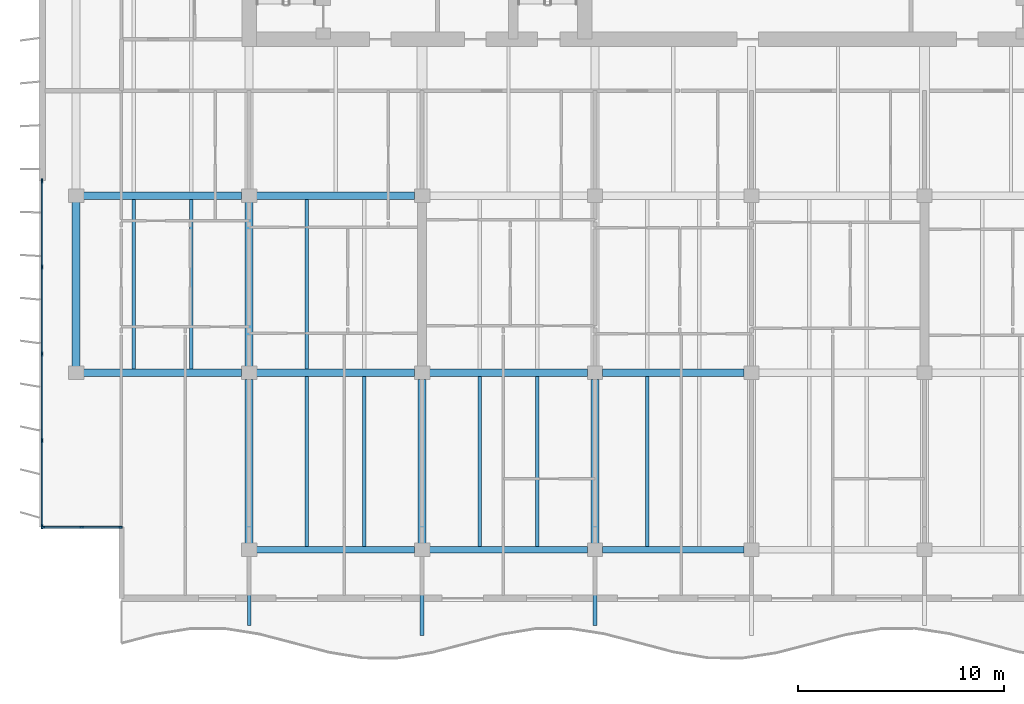
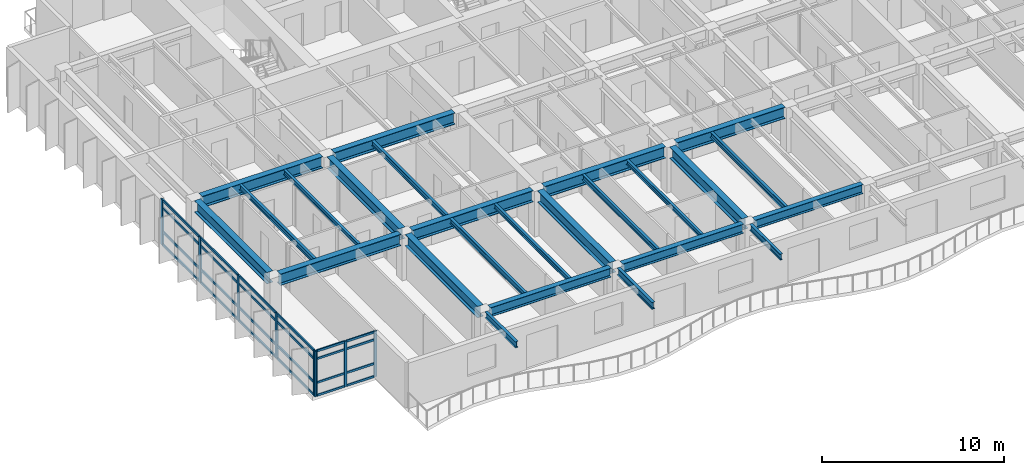
# One storey, part 2 of 17: 32 members, 25 beams, 2 elements without a shape of their own.
"""IFC4 building model written with IfcOpenShell, lengths in metres."""

import ifcopenshell
import ifcopenshell.guid

model = None  # the IFC model being written
_history = None  # IfcOwnerHistory: only IFC2X3 demands one
_inside = {}  # id of a spatial element -> (the spatial element, [elements in it])
_under = {}  # id of a project, library or spatial element -> (it, [spatial elements below it])
_declared = {}  # id of a project -> (the project, [libraries it declares])
_typed = {}  # id of a type object -> (the type object, [elements of that type])
_made_of = {}  # id of a material, layer set ... -> (it, [elements and type objects made of it])


def new_model(schema):
    """Start an empty IFC model of exactly this schema.

    Asked for "IFC4X3", IfcOpenShell would pick the latest addendum, in which some entities
    have other attributes; the version numbers below select the first issue.
    IFC2X3 requires an IfcOwnerHistory on every rooted entity: one is made here for all.
    """
    global model, _history
    if schema == "IFC4X3":
        model = ifcopenshell.file(schema_version=(4, 3, 0, 0))
    else:
        model = ifcopenshell.file(schema=schema)
    _inside.clear()
    _under.clear()
    _declared.clear()
    _typed.clear()
    _made_of.clear()
    _history = None
    if model.schema == "IFC2X3":
        org = make("IfcOrganization", Name="unknown")
        user = make(
            "IfcPersonAndOrganization",
            ThePerson=make("IfcPerson", FamilyName="unknown"),
            TheOrganization=org,
        )
        app = make(
            "IfcApplication",
            ApplicationDeveloper=org,
            Version="unknown",
            ApplicationFullName="unknown",
            ApplicationIdentifier="unknown",
        )
        _history = make(
            "IfcOwnerHistory",
            OwningUser=user,
            OwningApplication=app,
            ChangeAction="ADDED",
            CreationDate=0,
        )
    return model


def make(cls, **values):
    """One entity of the class cls with the attributes given. An attribute that is None is left unset."""
    return model.create_entity(
        cls, **{name: value for name, value in values.items() if value is not None}
    )


def rooted(cls, **values):
    """An entity with a GlobalId (a new one), such as an element, a storey or a relation."""
    return make(cls, GlobalId=ifcopenshell.guid.new(), OwnerHistory=_history, **values)


def si_unit(unit_type, name, prefix=None):
    """IfcSIUnit, for example si_unit("LENGTHUNIT", "METRE", prefix="MILLI")."""
    return make("IfcSIUnit", UnitType=unit_type, Prefix=prefix, Name=name)


def assignment(units):
    """IfcUnitAssignment: the units of a project."""
    return None if units is None else make("IfcUnitAssignment", Units=units)


def point(xyz):
    """IfcCartesianPoint."""
    return None if xyz is None else make("IfcCartesianPoint", Coordinates=xyz)


def direction(xyz):
    """IfcDirection."""
    return None if xyz is None else make("IfcDirection", DirectionRatios=xyz)


def frame(location, z_axis=None, x_axis=None):
    """IfcAxis2Placement3D, a coordinate frame: its origin and axes. An axis left out is left unset."""
    return make(
        "IfcAxis2Placement3D",
        Location=point(location),
        Axis=direction(z_axis),
        RefDirection=direction(x_axis),
    )


def frame_2d(location, x_axis=None):
    """IfcAxis2Placement2D, a coordinate frame in the plane: its origin and x axis."""
    return make(
        "IfcAxis2Placement2D", Location=point(location), RefDirection=direction(x_axis)
    )


def origin():
    """The frame at (0, 0, 0) with its axes left unset."""
    return frame((0.0, 0.0, 0.0))


def origin_2d():
    """The frame at (0, 0) in the plane with its x axis left unset."""
    return frame_2d((0.0, 0.0))


def place(relative_to, where):
    """IfcLocalPlacement: puts the frame where relative to a parent placement (None: the world)."""
    return make(
        "IfcLocalPlacement", PlacementRelTo=relative_to, RelativePlacement=where
    )


def context(
    kind, dimensions, precision=None, world=None, true_north=None, identifier=None
):
    """IfcGeometricRepresentationContext, for example the 3D "Model" context."""
    return make(
        "IfcGeometricRepresentationContext",
        ContextIdentifier=identifier,
        ContextType=kind,
        CoordinateSpaceDimension=dimensions,
        Precision=precision,
        WorldCoordinateSystem=world,
        TrueNorth=true_north,
    )


def subcontext(parent, identifier, kind, view, scale=None):
    """IfcGeometricRepresentationSubContext, for example "Body" below "Model"."""
    return make(
        "IfcGeometricRepresentationSubContext",
        ContextIdentifier=identifier,
        ContextType=kind,
        ParentContext=parent,
        TargetScale=scale,
        TargetView=view,
    )


def project(units=None, contexts=None):
    """IfcProject with its units and contexts."""
    return rooted(
        "IfcProject",
        Name="project",
        RepresentationContexts=contexts,
        UnitsInContext=assignment(units),
    )


def spatial(cls, under=None, at=None, **own):
    """A site, building, storey or space (cls), placed at a placement, below another one or the project."""
    s = rooted(cls, ObjectPlacement=at, **own)
    if under is not None:
        _under.setdefault(under.id(), (under, []))[1].append(s)
    return s


def profile(cls, at=None, kind="AREA", **sizes):
    """A parametric profile (cls). Its sizes go by their IFC names, for example OverallWidth=200.0."""
    return make(cls, ProfileType=kind, Position=at, **sizes)


def rectangle(**sizes):
    """IfcRectangleProfileDef."""
    return profile("IfcRectangleProfileDef", **sizes)


def i_section(**sizes):
    """IfcIShapeProfileDef."""
    return profile("IfcIShapeProfileDef", **sizes)


def extrude(swept, where, along, depth):
    """IfcExtrudedAreaSolid: the profile swept, set in the frame where, extruded along a direction by depth."""
    return make(
        "IfcExtrudedAreaSolid",
        SweptArea=swept,
        Position=where,
        ExtrudedDirection=direction(along),
        Depth=depth,
    )


def shape(context_of_items, identifier, shape_type, items):
    """IfcShapeRepresentation: the items that make up one representation, for example the "Body"."""
    return make(
        "IfcShapeRepresentation",
        ContextOfItems=context_of_items,
        RepresentationIdentifier=identifier,
        RepresentationType=shape_type,
        Items=items,
    )


def material(Name=None, Category=None):
    """IfcMaterial."""
    return make("IfcMaterial", Name=Name, Category=Category)


def layer(
    of_material, thickness, ventilated=None, Name=None, Category=None, Priority=None
):
    """IfcMaterialLayer: one layer of a wall or slab, of a material (None: an air gap)."""
    return make(
        "IfcMaterialLayer",
        Material=of_material,
        LayerThickness=thickness,
        IsVentilated=ventilated,
        Name=Name,
        Category=Category,
        Priority=Priority,
    )


def layer_set(layers, Name=None):
    """IfcMaterialLayerSet."""
    return make("IfcMaterialLayerSet", MaterialLayers=layers, LayerSetName=Name)


def material_profile(
    of_material, cross_section, Name=None, Category=None, Priority=None
):
    """IfcMaterialProfile: a cross section and its material."""
    return make(
        "IfcMaterialProfile",
        Name=Name,
        Material=of_material,
        Profile=cross_section,
        Priority=Priority,
        Category=Category,
    )


def profile_set(profiles, Name=None, composite=None):
    """IfcMaterialProfileSet."""
    return make(
        "IfcMaterialProfileSet",
        Name=Name,
        MaterialProfiles=profiles,
        CompositeProfile=composite,
    )


def made_of(thing, what):
    """Note that an element or type object is made of a material, layer set ...; save() writes the relation."""
    if what is not None:
        _made_of.setdefault(what.id(), (what, []))[1].append(thing)
    return thing


def type_object(cls, material=None, **own):
    """A type object (cls), such as IfcWallType, which elements share."""
    return made_of(rooted(cls, **own), material)


def element(
    cls,
    number,
    at=None,
    inside=None,
    cuts=None,
    type_object=None,
    material=None,
    context=None,
    identifier="Body",
    shape_type=None,
    held_by="IfcProductDefinitionShape",
    body=None,
    shapes=None,
    **own,
):
    """One element of the class cls, such as IfcWall. Its Tag is "e" and its number.

    at: its placement. inside: the storey or other place that contains it. cuts: it is an
    opening in that element (IfcRelVoidsElement). A single representation is given by context,
    identifier, shape_type and body (its items); several are given by shapes. held_by: the class
    of the entity that holds the representations. save() writes the other relations.
    """
    e = rooted(cls, Tag="e%d" % number, ObjectPlacement=at, **own)
    if body is not None:
        shapes = [shape(context, identifier, shape_type, body)]
    if shapes is not None:
        e.Representation = make(held_by, Representations=shapes)
    if inside is not None:
        _inside.setdefault(inside.id(), (inside, []))[1].append(e)
    if cuts is not None:
        rooted(
            "IfcRelVoidsElement", RelatingBuildingElement=cuts, RelatedOpeningElement=e
        )
    if type_object is not None:
        _typed.setdefault(type_object.id(), (type_object, []))[1].append(e)
    return made_of(e, material)


def aggregate(whole, parts):
    """IfcRelAggregates: a whole, such as a stair, and the parts it consists of."""
    return rooted("IfcRelAggregates", RelatingObject=whole, RelatedObjects=parts)


def save(model, path):
    """Write the relations noted so far, then the file.

    IfcRelAggregates (storeys below a building ...), IfcRelContainedInSpatialStructure (elements
    in a storey), IfcRelDefinesByType, IfcRelAssociatesMaterial and IfcRelDeclares: one each for
    every whole, place, type object, material and project.
    """
    for whole, parts in _under.values():
        aggregate(whole, parts)
    for where, things in _inside.values():
        rooted(
            "IfcRelContainedInSpatialStructure",
            RelatedElements=things,
            RelatingStructure=where,
        )
    for kind, things in _typed.values():
        rooted("IfcRelDefinesByType", RelatedObjects=things, RelatingType=kind)
    for what, things in _made_of.values():
        rooted("IfcRelAssociatesMaterial", RelatedObjects=things, RelatingMaterial=what)
    for by, libraries in _declared.values():
        rooted("IfcRelDeclares", RelatingContext=by, RelatedDefinitions=libraries)
    model.write(path)


model = new_model("IFC4")

# Units and contexts
model_context = context("Model", 3, precision=1e-05, world=origin(), true_north=direction((0.0, 1.0)))
body_context = subcontext(model_context, "Body", "Model", "MODEL_VIEW")
ifc_project = project(units=[si_unit("LENGTHUNIT", "METRE"), si_unit("AREAUNIT", "SQUARE_METRE"), si_unit("VOLUMEUNIT", "CUBIC_METRE"), si_unit("PLANEANGLEUNIT", "RADIAN"), si_unit("MASSUNIT", "GRAM", prefix="KILO")], contexts=[model_context])

# Site, building, storey
site_placement = place(None, origin())
site = spatial("IfcSite", under=ifc_project, at=site_placement, CompositionType="ELEMENT")
building_placement = place(site_placement, origin())
building = spatial("IfcBuilding", under=site, at=building_placement, Name="Caelmar Bay Residences", CompositionType="ELEMENT")
storey_placement = place(building_placement, frame((0.0, 0.0, 229.800048828125)))
storey = spatial("IfcBuildingStorey", under=building, at=storey_placement, Name="L64", CompositionType="ELEMENT", Elevation=229.800048828125)

# Beams
ifc_material_1 = material(Name="Steel ASTM A992 Grade 50", Category="steel")
ifc_material_profile_1 = material_profile(ifc_material_1, i_section(OverallWidth=0.177978515625, OverallDepth=0.406005859375, WebThickness=0.0078125, FlangeThickness=0.0126953125, FilletRadius=0.0087890625, at=origin_2d()), Name="W16X40")
ifc_profile_set_1 = profile_set([ifc_material_profile_1], Name="Steel ASTM A992 Grade 50")
beam_type_1 = type_object("IfcBeamType", Name="BM-BAL-W16X40", PredefinedType="JOIST", material=ifc_profile_set_1)
for number, where, z_axis, x_axis, name in (
    (1, (18.300048828125, 11.885009765625, 2.846923828125), (0.0, -1.0, 0.0), (1.0, 0.0, 0.0), "L65 South Balcony Cantilever Bracket 1"),
    (2, (35.10009765625, 11.885009765625, 2.846923828125), (0.0, -1.0, 0.0), (1.0, 0.0, 0.0), "L65 South Balcony Cantilever Bracket 3"),
):
    element("IfcBeam", number, at=place(storey_placement, frame(where, z_axis=z_axis, x_axis=x_axis)), inside=storey, type_object=beam_type_1, Name=name, PredefinedType="JOIST", context=body_context, shape_type="SweptSolid", body=[
        extrude(i_section(OverallWidth=0.177978515625, OverallDepth=0.406005859375, WebThickness=0.0078125, FlangeThickness=0.0126953125, FilletRadius=0.0087890625, at=origin_2d()), origin(), (0.0, 0.0, 1.0), 3.3603515625),
    ])
ifc_material_profile_2 = material_profile(ifc_material_1, i_section(OverallWidth=0.193115234375, OverallDepth=0.467041015625, WebThickness=0.011474609375, FlangeThickness=0.01904296875, FilletRadius=0.01025390625, at=origin_2d()), Name="W18X65")
ifc_profile_set_2 = profile_set([ifc_material_profile_2], Name="Steel ASTM A992 Grade 50")
beam_type_2 = type_object("IfcBeamType", Name="BM-BAL-W18X65", PredefinedType="BEAM", material=ifc_profile_set_2)
beam_1_placement = place(storey_placement, frame((26.699951171875, 11.885009765625, 2.81640625), z_axis=(0.0, -1.0, 0.0), x_axis=(1.0, 0.0, 0.0)))
element("IfcBeam", 3, at=beam_1_placement, inside=storey, type_object=beam_type_2, Name="L65 South Balcony Cantilever Bracket 2", PredefinedType="BEAM", context=body_context, shape_type="SweptSolid", body=[
    extrude(i_section(OverallWidth=0.193115234375, OverallDepth=0.467041015625, WebThickness=0.011474609375, FlangeThickness=0.01904296875, FilletRadius=0.01025390625, at=origin_2d()), origin(), (0.0, 0.0, 1.0), 3.85009765625),
])
ifc_material_profile_3 = material_profile(ifc_material_1, i_section(OverallWidth=0.381103515625, OverallDepth=0.77197265625, WebThickness=0.0166015625, FlangeThickness=0.027099609375, FilletRadius=0.0166015625, at=origin_2d()), Name="W30X173")
ifc_profile_set_3 = profile_set([ifc_material_profile_3], Name="Steel ASTM A992 Grade 50")
beam_type_3 = type_object("IfcBeamType", Name="BM-GRD-W30X173", PredefinedType="BEAM", material=ifc_profile_set_3)
beam_2_placement = place(storey_placement, frame((10.264892578125, 20.800048828125, 2.6640625), z_axis=(1.0, 0.0, 0.0), x_axis=(0.0, 1.0, 0.0)))
element("IfcBeam", 4, at=beam_2_placement, inside=storey, type_object=beam_type_3, Name="L64 East-West Girder Y=20.80 (9.9-18.3)", PredefinedType="BEAM", context=body_context, shape_type="SweptSolid", body=[
    extrude(i_section(OverallWidth=0.381103515625, OverallDepth=0.77197265625, WebThickness=0.0166015625, FlangeThickness=0.027099609375, FilletRadius=0.0166015625, at=origin_2d()), origin(), (0.0, 0.0, 1.0), 7.670166015625),
])
beam_3_placement = place(storey_placement, frame((18.6650390625, 20.800048828125, 2.6640625), z_axis=(1.0, 0.0, 0.0), x_axis=(0.0, 1.0, 0.0)))
element("IfcBeam", 5, at=beam_3_placement, inside=storey, type_object=beam_type_3, Name="L64 East-West Girder Y=20.80 (18.3-26.7)", PredefinedType="BEAM", context=body_context, shape_type="SweptSolid", body=[
    extrude(i_section(OverallWidth=0.381103515625, OverallDepth=0.77197265625, WebThickness=0.0166015625, FlangeThickness=0.027099609375, FilletRadius=0.0166015625, at=origin_2d()), origin(), (0.0, 0.0, 1.0), 7.669921875),
])
beam_4_placement = place(storey_placement, frame((27.06494140625, 20.800048828125, 2.6640625), z_axis=(1.0, 0.0, 0.0), x_axis=(0.0, 1.0, 0.0)))
element("IfcBeam", 6, at=beam_4_placement, inside=storey, type_object=beam_type_3, Name="L64 East-West Girder Y=20.80 (26.7-35.1)", PredefinedType="BEAM", context=body_context, shape_type="SweptSolid", body=[
    extrude(i_section(OverallWidth=0.381103515625, OverallDepth=0.77197265625, WebThickness=0.0166015625, FlangeThickness=0.027099609375, FilletRadius=0.0166015625, at=origin_2d()), origin(), (0.0, 0.0, 1.0), 7.670166015625),
])
beam_5_placement = place(storey_placement, frame((35.465087890625, 20.800048828125, 2.6640625), z_axis=(1.0, 0.0, 0.0), x_axis=(0.0, 1.0, 0.0)))
element("IfcBeam", 7, at=beam_5_placement, inside=storey, type_object=beam_type_3, Name="L64 East-West Girder Y=20.80 (35.1-42.7)", PredefinedType="BEAM", context=body_context, shape_type="SweptSolid", body=[
    extrude(i_section(OverallWidth=0.381103515625, OverallDepth=0.77197265625, WebThickness=0.0166015625, FlangeThickness=0.027099609375, FilletRadius=0.0166015625, at=origin_2d()), origin(), (0.0, 0.0, 1.0), 6.869873046875),
])
beam_6_placement = place(storey_placement, frame((10.264892578125, 29.39990234375, 2.6640625), z_axis=(1.0, 0.0, 0.0), x_axis=(0.0, 1.0, 0.0)))
element("IfcBeam", 8, at=beam_6_placement, inside=storey, type_object=beam_type_3, Name="L64 East-West Girder Y=29.40 (9.9-18.3)", PredefinedType="BEAM", context=body_context, shape_type="SweptSolid", body=[
    extrude(i_section(OverallWidth=0.381103515625, OverallDepth=0.77197265625, WebThickness=0.0166015625, FlangeThickness=0.027099609375, FilletRadius=0.0166015625, at=origin_2d()), origin(), (0.0, 0.0, 1.0), 7.670166015625),
])
beam_7_placement = place(storey_placement, frame((18.6650390625, 29.39990234375, 2.6640625), z_axis=(1.0, 0.0, 0.0), x_axis=(0.0, 1.0, 0.0)))
element("IfcBeam", 9, at=beam_7_placement, inside=storey, type_object=beam_type_3, Name="L64 East-West Girder Y=29.40 (18.3-26.7)", PredefinedType="BEAM", context=body_context, shape_type="SweptSolid", body=[
    extrude(i_section(OverallWidth=0.381103515625, OverallDepth=0.77197265625, WebThickness=0.0166015625, FlangeThickness=0.027099609375, FilletRadius=0.0166015625, at=origin_2d()), origin(), (0.0, 0.0, 1.0), 7.669921875),
])
beam_8_placement = place(storey_placement, frame((9.89990234375, 21.114990234375, 2.6640625), z_axis=(0.0, 1.0, 0.0), x_axis=(-1.0, 0.0, 0.0)))
element("IfcBeam", 10, at=beam_8_placement, inside=storey, type_object=beam_type_3, Name="L64 North-South Girder X=9.90 (20.8-29.4)", PredefinedType="BEAM", context=body_context, shape_type="SweptSolid", body=[
    extrude(i_section(OverallWidth=0.381103515625, OverallDepth=0.77197265625, WebThickness=0.0166015625, FlangeThickness=0.027099609375, FilletRadius=0.0166015625, at=origin_2d()), origin(), (0.0, 0.0, 1.0), 7.969970703125),
])
beam_9_placement = place(storey_placement, frame((18.300048828125, 12.514892578125, 2.6640625), z_axis=(0.0, 1.0, 0.0), x_axis=(-1.0, 0.0, 0.0)))
element("IfcBeam", 11, at=beam_9_placement, inside=storey, type_object=beam_type_3, Name="L64 North-South Girder X=18.30 (12.2-20.8)", PredefinedType="BEAM", context=body_context, shape_type="SweptSolid", body=[
    extrude(i_section(OverallWidth=0.381103515625, OverallDepth=0.77197265625, WebThickness=0.0166015625, FlangeThickness=0.027099609375, FilletRadius=0.0166015625, at=origin_2d()), origin(), (0.0, 0.0, 1.0), 7.97021484375),
])
beam_10_placement = place(storey_placement, frame((18.300048828125, 21.114990234375, 2.6640625), z_axis=(0.0, 1.0, 0.0), x_axis=(-1.0, 0.0, 0.0)))
element("IfcBeam", 12, at=beam_10_placement, inside=storey, type_object=beam_type_3, Name="L64 North-South Girder X=18.30 (20.8-29.4)", PredefinedType="BEAM", context=body_context, shape_type="SweptSolid", body=[
    extrude(i_section(OverallWidth=0.381103515625, OverallDepth=0.77197265625, WebThickness=0.0166015625, FlangeThickness=0.027099609375, FilletRadius=0.0166015625, at=origin_2d()), origin(), (0.0, 0.0, 1.0), 7.969970703125),
])
for number, where, z_axis, x_axis, name in (
    (13, (26.699951171875, 12.514892578125, 2.6640625), (0.0, 1.0, 0.0), (-1.0, 0.0, 0.0), "L64 North-South Girder X=26.70 (12.2-20.8)"),
    (14, (35.10009765625, 12.514892578125, 2.6640625), (0.0, 1.0, 0.0), (-1.0, 0.0, 0.0), "L64 North-South Girder X=35.10 (12.2-20.8)"),
):
    element("IfcBeam", number, at=place(storey_placement, frame(where, z_axis=z_axis, x_axis=x_axis)), inside=storey, type_object=beam_type_3, Name=name, PredefinedType="BEAM", context=body_context, shape_type="SweptSolid", body=[
        extrude(i_section(OverallWidth=0.381103515625, OverallDepth=0.77197265625, WebThickness=0.0166015625, FlangeThickness=0.027099609375, FilletRadius=0.0166015625, at=origin_2d()), origin(), (0.0, 0.0, 1.0), 7.97021484375),
    ])
ifc_material_profile_4 = material_profile(ifc_material_1, i_section(OverallWidth=0.1650390625, OverallDepth=0.31005859375, WebThickness=0.005859375, FlangeThickness=0.009765625, FilletRadius=0.007568359375, at=origin_2d()), Name="W12X26")
ifc_profile_set_4 = profile_set([ifc_material_profile_4], Name="Steel ASTM A992 Grade 50")
beam_type_4 = type_object("IfcBeamType", Name="BM-JST-W12X26", PredefinedType="JOIST", material=ifc_profile_set_4)
for number, where, z_axis, x_axis, name in (
    (15, (23.89990234375, 12.362548828125, 2.89501953125), (0.0, 1.0, 0.0), (-1.0, 0.0, 0.0), "L64 Composite Floor Joist 2"),
    (16, (32.300048828125, 12.362548828125, 2.89501953125), (0.0, 1.0, 0.0), (-1.0, 0.0, 0.0), "L64 Composite Floor Joist 4"),
):
    element("IfcBeam", number, at=place(storey_placement, frame(where, z_axis=z_axis, x_axis=x_axis)), inside=storey, type_object=beam_type_4, Name=name, PredefinedType="JOIST", context=body_context, shape_type="SweptSolid", body=[
        extrude(i_section(OverallWidth=0.1650390625, OverallDepth=0.31005859375, WebThickness=0.005859375, FlangeThickness=0.009765625, FilletRadius=0.007568359375, at=origin_2d()), origin(), (0.0, 0.0, 1.0), 8.2470703125),
    ])
beam_11_placement = place(storey_placement, frame((15.5, 20.990478515625, 2.89501953125), z_axis=(0.0, 1.0, 0.0), x_axis=(-1.0, 0.0, 0.0)))
element("IfcBeam", 17, at=beam_11_placement, inside=storey, type_object=beam_type_4, Name="L64 Composite Floor Joist 12", PredefinedType="JOIST", context=body_context, shape_type="SweptSolid", body=[
    extrude(i_section(OverallWidth=0.1650390625, OverallDepth=0.31005859375, WebThickness=0.005859375, FlangeThickness=0.009765625, FilletRadius=0.007568359375, at=origin_2d()), origin(), (0.0, 0.0, 1.0), 8.218994140625),
])
ifc_material_profile_5 = material_profile(ifc_material_1, i_section(OverallWidth=0.1708984375, OverallDepth=0.35595703125, WebThickness=0.007080078125, FlangeThickness=0.01171875, FilletRadius=0.007568359375, at=origin_2d()), Name="W14X34")
ifc_profile_set_5 = profile_set([ifc_material_profile_5], Name="Steel ASTM A992 Grade 50")
beam_type_5 = type_object("IfcBeamType", Name="BM-JST-W14X34", PredefinedType="JOIST", material=ifc_profile_set_5)
for number, where, z_axis, x_axis, name in (
    (18, (21.10009765625, 12.362548828125, 2.8720703125), (0.0, 1.0, 0.0), (-1.0, 0.0, 0.0), "L64 Composite Floor Joist 1"),
    (19, (29.5, 12.362548828125, 2.8720703125), (0.0, 1.0, 0.0), (-1.0, 0.0, 0.0), "L64 Composite Floor Joist 3"),
    (20, (37.63330078125, 12.362548828125, 2.8720703125), (0.0, 1.0, 0.0), (-1.0, 0.0, 0.0), "L64 Composite Floor Joist 5"),
):
    element("IfcBeam", number, at=place(storey_placement, frame(where, z_axis=z_axis, x_axis=x_axis)), inside=storey, type_object=beam_type_5, Name=name, PredefinedType="JOIST", context=body_context, shape_type="SweptSolid", body=[
        extrude(i_section(OverallWidth=0.1708984375, OverallDepth=0.35595703125, WebThickness=0.007080078125, FlangeThickness=0.01171875, FilletRadius=0.007568359375, at=origin_2d()), origin(), (0.0, 0.0, 1.0), 8.2470703125),
    ])
for number, where, z_axis, x_axis, name in (
    (21, (12.699951171875, 20.990478515625, 2.8720703125), (0.0, 1.0, 0.0), (-1.0, 0.0, 0.0), "L64 Composite Floor Joist 11"),
    (22, (21.10009765625, 20.990478515625, 2.8720703125), (0.0, 1.0, 0.0), (-1.0, 0.0, 0.0), "L64 Composite Floor Joist 13"),
):
    element("IfcBeam", number, at=place(storey_placement, frame(where, z_axis=z_axis, x_axis=x_axis)), inside=storey, type_object=beam_type_5, Name=name, PredefinedType="JOIST", context=body_context, shape_type="SweptSolid", body=[
        extrude(i_section(OverallWidth=0.1708984375, OverallDepth=0.35595703125, WebThickness=0.007080078125, FlangeThickness=0.01171875, FilletRadius=0.007568359375, at=origin_2d()), origin(), (0.0, 0.0, 1.0), 8.218994140625),
    ])
ifc_material_profile_6 = material_profile(ifc_material_1, i_section(OverallWidth=0.324951171875, OverallDepth=0.616943359375, WebThickness=0.013916015625, FlangeThickness=0.021484375, FilletRadius=0.0126953125, at=origin_2d()), Name="W24X117")
ifc_profile_set_6 = profile_set([ifc_material_profile_6], Name="Steel ASTM A992 Grade 50")
beam_type_6 = type_object("IfcBeamType", Name="BM-SPN-W24X117", PredefinedType="SPANDREL", material=ifc_profile_set_6)
beam_12_placement = place(storey_placement, frame((18.6650390625, 12.199951171875, 2.741455078125), z_axis=(1.0, 0.0, 0.0), x_axis=(0.0, 1.0, 0.0)))
element("IfcBeam", 23, at=beam_12_placement, inside=storey, type_object=beam_type_6, Name="L64 East-West Girder Y=12.20 (18.3-26.7)", PredefinedType="SPANDREL", context=body_context, shape_type="SweptSolid", body=[
    extrude(i_section(OverallWidth=0.324951171875, OverallDepth=0.616943359375, WebThickness=0.013916015625, FlangeThickness=0.021484375, FilletRadius=0.0126953125, at=origin_2d()), origin(), (0.0, 0.0, 1.0), 7.669921875),
])
beam_13_placement = place(storey_placement, frame((27.06494140625, 12.199951171875, 2.741455078125), z_axis=(1.0, 0.0, 0.0), x_axis=(0.0, 1.0, 0.0)))
element("IfcBeam", 24, at=beam_13_placement, inside=storey, type_object=beam_type_6, Name="L64 East-West Girder Y=12.20 (26.7-35.1)", PredefinedType="SPANDREL", context=body_context, shape_type="SweptSolid", body=[
    extrude(i_section(OverallWidth=0.324951171875, OverallDepth=0.616943359375, WebThickness=0.013916015625, FlangeThickness=0.021484375, FilletRadius=0.0126953125, at=origin_2d()), origin(), (0.0, 0.0, 1.0), 7.670166015625),
])
beam_14_placement = place(storey_placement, frame((35.465087890625, 12.199951171875, 2.741455078125), z_axis=(1.0, 0.0, 0.0), x_axis=(0.0, 1.0, 0.0)))
element("IfcBeam", 25, at=beam_14_placement, inside=storey, type_object=beam_type_6, Name="L64 East-West Girder Y=12.20 (35.1-42.7)", PredefinedType="SPANDREL", context=body_context, shape_type="SweptSolid", body=[
    extrude(i_section(OverallWidth=0.324951171875, OverallDepth=0.616943359375, WebThickness=0.013916015625, FlangeThickness=0.021484375, FilletRadius=0.0126953125, at=origin_2d()), origin(), (0.0, 0.0, 1.0), 6.869873046875),
])

# Curtain wall, members
ifc_material_2 = material(Name="Anodised bronze aluminium 6063-T6 and laminated glass", Category="aluminium")
ifc_layer_1 = layer(ifc_material_2, 0.179931640625)
ifc_layer_set_1 = layer_set([ifc_layer_1], Name="Anodised bronze aluminium 6063-T6 and laminated glass")
curtain_wall_type_1 = type_object("IfcCurtainWallType", Name="CW6-NTC", PredefinedType="NOTDEFINED", material=ifc_layer_set_1)
curtain_wall_1_placement = place(storey_placement, origin())
curtain_wall_1 = element("IfcCurtainWall", 26, at=curtain_wall_1_placement, inside=storey, type_object=curtain_wall_type_1, Name="CW6 curtain wall L64", PredefinedType="NOTDEFINED")
ifc_material_3 = material(Name="Anodised bronze aluminium 6063-T6", Category="aluminium")
ifc_material_profile_7 = material_profile(ifc_material_3, rectangle(XDim=0.080078125, YDim=0.179931640625, at=origin_2d()), Name="CWM-80X180")
ifc_profile_set_7 = profile_set([ifc_material_profile_7], Name="Anodised bronze aluminium 6063-T6")
member_type_1 = type_object("IfcMemberType", Name="CWM-180", PredefinedType="MULLION", material=ifc_profile_set_7)
member_1_placement = place(storey_placement, frame((8.2900390625, 13.300048828125, 0.0), z_axis=(0.0, 0.0, 1.0), x_axis=(0.0, 1.0, 0.0)))
member_1 = element("IfcMember", 27, at=member_1_placement, type_object=member_type_1, Name="CW6 mullion 1", PredefinedType="MULLION", context=body_context, shape_type="SweptSolid", body=[
    extrude(rectangle(XDim=0.080078125, YDim=0.179931640625, at=origin_2d()), origin(), (0.0, 0.0, 1.0), 3.050048828125),
])
member_2_placement = place(storey_placement, frame((10.175048828125, 13.300048828125, 0.0), z_axis=(0.0, 0.0, 1.0), x_axis=(0.0, 1.0, 0.0)))
member_2 = element("IfcMember", 28, at=member_2_placement, type_object=member_type_1, Name="CW6 mullion 2", PredefinedType="MULLION", context=body_context, shape_type="SweptSolid", body=[
    extrude(rectangle(XDim=0.080078125, YDim=0.179931640625, at=origin_2d()), origin(), (0.0, 0.0, 1.0), 3.050048828125),
])
member_3_placement = place(storey_placement, frame((12.06005859375, 13.300048828125, 0.0), z_axis=(0.0, 0.0, 1.0), x_axis=(0.0, 1.0, 0.0)))
member_3 = element("IfcMember", 29, at=member_3_placement, type_object=member_type_1, Name="CW6 mullion 3", PredefinedType="MULLION", context=body_context, shape_type="SweptSolid", body=[
    extrude(rectangle(XDim=0.080078125, YDim=0.179931640625, at=origin_2d()), origin(), (0.0, 0.0, 1.0), 3.050048828125),
])

ifc_layer_2 = layer(ifc_material_2, 0.179931640625)
ifc_layer_set_2 = layer_set([ifc_layer_2], Name="Anodised bronze aluminium 6063-T6 and laminated glass")
curtain_wall_type_2 = type_object("IfcCurtainWallType", Name="CW5-Z4", PredefinedType="NOTDEFINED", material=ifc_layer_set_2)
curtain_wall_2_placement = place(storey_placement, origin())
curtain_wall_2 = element("IfcCurtainWall", 30, at=curtain_wall_2_placement, inside=storey, type_object=curtain_wall_type_2, Name="CW5 curtain wall L64", PredefinedType="NOTDEFINED")
ifc_material_profile_8 = material_profile(ifc_material_3, rectangle(XDim=0.080078125, YDim=0.219970703125, at=origin_2d()), Name="CWM-80X220")
ifc_profile_set_8 = profile_set([ifc_material_profile_8], Name="Anodised bronze aluminium 6063-T6")
member_type_2 = type_object("IfcMemberType", Name="CWM-220", PredefinedType="MULLION", material=ifc_profile_set_8)
member_4_placement = place(storey_placement, frame((8.25, 13.340087890625, 0.0), z_axis=(0.0, 0.0, 1.0), x_axis=(-1.0, 0.0, 0.0)))
member_4 = element("IfcMember", 31, at=member_4_placement, type_object=member_type_2, Name="CW5 mullion 1", PredefinedType="MULLION", context=body_context, shape_type="SweptSolid", body=[
    extrude(rectangle(XDim=0.080078125, YDim=0.219970703125, at=origin_2d()), origin(), (0.0, 0.0, 1.0), 3.050048828125),
])
member_5_placement = place(storey_placement, frame((8.25, 17.512451171875, 0.0), z_axis=(0.0, 0.0, 1.0), x_axis=(-1.0, 0.0, 0.0)))
member_5 = element("IfcMember", 32, at=member_5_placement, type_object=member_type_2, Name="CW5 mullion 2", PredefinedType="MULLION", context=body_context, shape_type="SweptSolid", body=[
    extrude(rectangle(XDim=0.080078125, YDim=0.219970703125, at=origin_2d()), origin(), (0.0, 0.0, 1.0), 3.050048828125),
])
member_6_placement = place(storey_placement, frame((8.25, 21.72509765625, 0.0), z_axis=(0.0, 0.0, 1.0), x_axis=(-1.0, 0.0, 0.0)))
member_6 = element("IfcMember", 33, at=member_6_placement, type_object=member_type_2, Name="CW5 mullion 3", PredefinedType="MULLION", context=body_context, shape_type="SweptSolid", body=[
    extrude(rectangle(XDim=0.080078125, YDim=0.219970703125, at=origin_2d()), origin(), (0.0, 0.0, 1.0), 3.050048828125),
])
member_7_placement = place(storey_placement, frame((8.25, 25.9375, 0.0), z_axis=(0.0, 0.0, 1.0), x_axis=(-1.0, 0.0, 0.0)))
member_7 = element("IfcMember", 34, at=member_7_placement, type_object=member_type_2, Name="CW5 mullion 4", PredefinedType="MULLION", context=body_context, shape_type="SweptSolid", body=[
    extrude(rectangle(XDim=0.080078125, YDim=0.219970703125, at=origin_2d()), origin(), (0.0, 0.0, 1.0), 3.050048828125),
])
member_8_placement = place(storey_placement, frame((8.25, 30.110107421875, 0.0), z_axis=(0.0, 0.0, 1.0), x_axis=(-1.0, 0.0, 0.0)))
member_8 = element("IfcMember", 35, at=member_8_placement, type_object=member_type_2, Name="CW5 mullion 5", PredefinedType="MULLION", context=body_context, shape_type="SweptSolid", body=[
    extrude(rectangle(XDim=0.080078125, YDim=0.219970703125, at=origin_2d()), origin(), (0.0, 0.0, 1.0), 3.050048828125),
])

# Member
ifc_material_profile_9 = material_profile(ifc_material_3, rectangle(XDim=0.080078125, YDim=0.139892578125, at=origin_2d()), Name="CWT-80X140")
ifc_profile_set_9 = profile_set([ifc_material_profile_9], Name="Anodised bronze aluminium 6063-T6")
member_type_3 = type_object("IfcMemberType", Name="CWT-140", PredefinedType="NOTDEFINED", material=ifc_profile_set_9)
member_9_placement = place(storey_placement, frame((8.330078125, 13.300048828125, 0.0400390625), z_axis=(1.0, 0.0, 0.0), x_axis=(0.0, 1.0, 0.0)))
member_9 = element("IfcMember", 36, at=member_9_placement, type_object=member_type_3, Name="CW6 transom 1.1", ObjectType="TRANSOM", PredefinedType="USERDEFINED", context=body_context, shape_type="SweptSolid", body=[
    extrude(rectangle(XDim=0.080078125, YDim=0.139892578125, at=origin_2d()), origin(), (0.0, 0.0, 1.0), 1.804931640625),
])

member_10_placement = place(storey_placement, frame((8.330078125, 13.300048828125, 0.89990234375), z_axis=(1.0, 0.0, 0.0), x_axis=(0.0, 1.0, 0.0)))
member_10 = element("IfcMember", 37, at=member_10_placement, type_object=member_type_3, Name="CW6 transom 1.2", ObjectType="TRANSOM", PredefinedType="USERDEFINED", context=body_context, shape_type="SweptSolid", body=[
    extrude(rectangle(XDim=0.080078125, YDim=0.139892578125, at=origin_2d()), origin(), (0.0, 0.0, 1.0), 1.804931640625),
])

member_11_placement = place(storey_placement, frame((8.330078125, 13.300048828125, 2.5), z_axis=(1.0, 0.0, 0.0), x_axis=(0.0, 1.0, 0.0)))
member_11 = element("IfcMember", 38, at=member_11_placement, type_object=member_type_3, Name="CW6 transom 1.3", ObjectType="TRANSOM", PredefinedType="USERDEFINED", context=body_context, shape_type="SweptSolid", body=[
    extrude(rectangle(XDim=0.080078125, YDim=0.139892578125, at=origin_2d()), origin(), (0.0, 0.0, 1.0), 1.804931640625),
])

member_12_placement = place(storey_placement, frame((8.330078125, 13.300048828125, 3.010009765625), z_axis=(1.0, 0.0, 0.0), x_axis=(0.0, 1.0, 0.0)))
member_12 = element("IfcMember", 39, at=member_12_placement, type_object=member_type_3, Name="CW6 transom 1.4", ObjectType="TRANSOM", PredefinedType="USERDEFINED", context=body_context, shape_type="SweptSolid", body=[
    extrude(rectangle(XDim=0.080078125, YDim=0.139892578125, at=origin_2d()), origin(), (0.0, 0.0, 1.0), 1.804931640625),
])

member_13_placement = place(storey_placement, frame((10.215087890625, 13.300048828125, 0.0400390625), z_axis=(1.0, 0.0, 0.0), x_axis=(0.0, 1.0, 0.0)))
member_13 = element("IfcMember", 40, at=member_13_placement, type_object=member_type_3, Name="CW6 transom 2.1", ObjectType="TRANSOM", PredefinedType="USERDEFINED", context=body_context, shape_type="SweptSolid", body=[
    extrude(rectangle(XDim=0.080078125, YDim=0.139892578125, at=origin_2d()), origin(), (0.0, 0.0, 1.0), 1.804931640625),
])

member_14_placement = place(storey_placement, frame((10.215087890625, 13.300048828125, 0.89990234375), z_axis=(1.0, 0.0, 0.0), x_axis=(0.0, 1.0, 0.0)))
member_14 = element("IfcMember", 41, at=member_14_placement, type_object=member_type_3, Name="CW6 transom 2.2", ObjectType="TRANSOM", PredefinedType="USERDEFINED", context=body_context, shape_type="SweptSolid", body=[
    extrude(rectangle(XDim=0.080078125, YDim=0.139892578125, at=origin_2d()), origin(), (0.0, 0.0, 1.0), 1.804931640625),
])

member_15_placement = place(storey_placement, frame((10.215087890625, 13.300048828125, 2.5), z_axis=(1.0, 0.0, 0.0), x_axis=(0.0, 1.0, 0.0)))
member_15 = element("IfcMember", 42, at=member_15_placement, type_object=member_type_3, Name="CW6 transom 2.3", ObjectType="TRANSOM", PredefinedType="USERDEFINED", context=body_context, shape_type="SweptSolid", body=[
    extrude(rectangle(XDim=0.080078125, YDim=0.139892578125, at=origin_2d()), origin(), (0.0, 0.0, 1.0), 1.804931640625),
])

member_16_placement = place(storey_placement, frame((10.215087890625, 13.300048828125, 3.010009765625), z_axis=(1.0, 0.0, 0.0), x_axis=(0.0, 1.0, 0.0)))
member_16 = element("IfcMember", 43, at=member_16_placement, type_object=member_type_3, Name="CW6 transom 2.4", ObjectType="TRANSOM", PredefinedType="USERDEFINED", context=body_context, shape_type="SweptSolid", body=[
    extrude(rectangle(XDim=0.080078125, YDim=0.139892578125, at=origin_2d()), origin(), (0.0, 0.0, 1.0), 1.804931640625),
])

aggregate(curtain_wall_1, [member_1, member_2, member_3, member_9, member_10, member_11, member_12, member_13, member_14, member_15, member_16])

ifc_material_profile_10 = material_profile(ifc_material_3, rectangle(XDim=0.080078125, YDim=0.159912109375, at=origin_2d()), Name="CWT-80X160")
ifc_profile_set_10 = profile_set([ifc_material_profile_10], Name="Anodised bronze aluminium 6063-T6")
member_type_4 = type_object("IfcMemberType", Name="CWT-160", PredefinedType="NOTDEFINED", material=ifc_profile_set_10)
member_17_placement = place(storey_placement, frame((8.25, 13.3798828125, 0.0400390625), z_axis=(0.0, 1.0, 0.0), x_axis=(-1.0, 0.0, 0.0)))
member_17 = element("IfcMember", 44, at=member_17_placement, type_object=member_type_4, Name="CW5 transom 1.1", ObjectType="TRANSOM", PredefinedType="USERDEFINED", context=body_context, shape_type="SweptSolid", body=[
    extrude(rectangle(XDim=0.080078125, YDim=0.159912109375, at=origin_2d()), origin(), (0.0, 0.0, 1.0), 4.092529296875),
])

member_18_placement = place(storey_placement, frame((8.25, 13.3798828125, 0.89990234375), z_axis=(0.0, 1.0, 0.0), x_axis=(-1.0, 0.0, 0.0)))
member_18 = element("IfcMember", 45, at=member_18_placement, type_object=member_type_4, Name="CW5 transom 1.2", ObjectType="TRANSOM", PredefinedType="USERDEFINED", context=body_context, shape_type="SweptSolid", body=[
    extrude(rectangle(XDim=0.080078125, YDim=0.159912109375, at=origin_2d()), origin(), (0.0, 0.0, 1.0), 4.092529296875),
])

member_19_placement = place(storey_placement, frame((8.25, 13.3798828125, 2.5), z_axis=(0.0, 1.0, 0.0), x_axis=(-1.0, 0.0, 0.0)))
member_19 = element("IfcMember", 46, at=member_19_placement, type_object=member_type_4, Name="CW5 transom 1.3", ObjectType="TRANSOM", PredefinedType="USERDEFINED", context=body_context, shape_type="SweptSolid", body=[
    extrude(rectangle(XDim=0.080078125, YDim=0.159912109375, at=origin_2d()), origin(), (0.0, 0.0, 1.0), 4.092529296875),
])

member_20_placement = place(storey_placement, frame((8.25, 13.3798828125, 3.010009765625), z_axis=(0.0, 1.0, 0.0), x_axis=(-1.0, 0.0, 0.0)))
member_20 = element("IfcMember", 47, at=member_20_placement, type_object=member_type_4, Name="CW5 transom 1.4", ObjectType="TRANSOM", PredefinedType="USERDEFINED", context=body_context, shape_type="SweptSolid", body=[
    extrude(rectangle(XDim=0.080078125, YDim=0.159912109375, at=origin_2d()), origin(), (0.0, 0.0, 1.0), 4.092529296875),
])

member_21_placement = place(storey_placement, frame((8.25, 17.552490234375, 0.0400390625), z_axis=(0.0, 1.0, 0.0), x_axis=(-1.0, 0.0, 0.0)))
member_21 = element("IfcMember", 48, at=member_21_placement, type_object=member_type_4, Name="CW5 transom 2.1", ObjectType="TRANSOM", PredefinedType="USERDEFINED", context=body_context, shape_type="SweptSolid", body=[
    extrude(rectangle(XDim=0.080078125, YDim=0.159912109375, at=origin_2d()), origin(), (0.0, 0.0, 1.0), 4.132568359375),
])

member_22_placement = place(storey_placement, frame((8.25, 17.552490234375, 0.89990234375), z_axis=(0.0, 1.0, 0.0), x_axis=(-1.0, 0.0, 0.0)))
member_22 = element("IfcMember", 49, at=member_22_placement, type_object=member_type_4, Name="CW5 transom 2.2", ObjectType="TRANSOM", PredefinedType="USERDEFINED", context=body_context, shape_type="SweptSolid", body=[
    extrude(rectangle(XDim=0.080078125, YDim=0.159912109375, at=origin_2d()), origin(), (0.0, 0.0, 1.0), 4.132568359375),
])

member_23_placement = place(storey_placement, frame((8.25, 17.552490234375, 2.5), z_axis=(0.0, 1.0, 0.0), x_axis=(-1.0, 0.0, 0.0)))
member_23 = element("IfcMember", 50, at=member_23_placement, type_object=member_type_4, Name="CW5 transom 2.3", ObjectType="TRANSOM", PredefinedType="USERDEFINED", context=body_context, shape_type="SweptSolid", body=[
    extrude(rectangle(XDim=0.080078125, YDim=0.159912109375, at=origin_2d()), origin(), (0.0, 0.0, 1.0), 4.132568359375),
])

member_24_placement = place(storey_placement, frame((8.25, 17.552490234375, 3.010009765625), z_axis=(0.0, 1.0, 0.0), x_axis=(-1.0, 0.0, 0.0)))
member_24 = element("IfcMember", 51, at=member_24_placement, type_object=member_type_4, Name="CW5 transom 2.4", ObjectType="TRANSOM", PredefinedType="USERDEFINED", context=body_context, shape_type="SweptSolid", body=[
    extrude(rectangle(XDim=0.080078125, YDim=0.159912109375, at=origin_2d()), origin(), (0.0, 0.0, 1.0), 4.132568359375),
])

member_25_placement = place(storey_placement, frame((8.25, 21.764892578125, 0.0400390625), z_axis=(0.0, 1.0, 0.0), x_axis=(-1.0, 0.0, 0.0)))
member_25 = element("IfcMember", 52, at=member_25_placement, type_object=member_type_4, Name="CW5 transom 3.1", ObjectType="TRANSOM", PredefinedType="USERDEFINED", context=body_context, shape_type="SweptSolid", body=[
    extrude(rectangle(XDim=0.080078125, YDim=0.159912109375, at=origin_2d()), origin(), (0.0, 0.0, 1.0), 4.132568359375),
])

member_26_placement = place(storey_placement, frame((8.25, 21.764892578125, 0.89990234375), z_axis=(0.0, 1.0, 0.0), x_axis=(-1.0, 0.0, 0.0)))
member_26 = element("IfcMember", 53, at=member_26_placement, type_object=member_type_4, Name="CW5 transom 3.2", ObjectType="TRANSOM", PredefinedType="USERDEFINED", context=body_context, shape_type="SweptSolid", body=[
    extrude(rectangle(XDim=0.080078125, YDim=0.159912109375, at=origin_2d()), origin(), (0.0, 0.0, 1.0), 4.132568359375),
])

member_27_placement = place(storey_placement, frame((8.25, 21.764892578125, 2.5), z_axis=(0.0, 1.0, 0.0), x_axis=(-1.0, 0.0, 0.0)))
member_27 = element("IfcMember", 54, at=member_27_placement, type_object=member_type_4, Name="CW5 transom 3.3", ObjectType="TRANSOM", PredefinedType="USERDEFINED", context=body_context, shape_type="SweptSolid", body=[
    extrude(rectangle(XDim=0.080078125, YDim=0.159912109375, at=origin_2d()), origin(), (0.0, 0.0, 1.0), 4.132568359375),
])

member_28_placement = place(storey_placement, frame((8.25, 21.764892578125, 3.010009765625), z_axis=(0.0, 1.0, 0.0), x_axis=(-1.0, 0.0, 0.0)))
member_28 = element("IfcMember", 55, at=member_28_placement, type_object=member_type_4, Name="CW5 transom 3.4", ObjectType="TRANSOM", PredefinedType="USERDEFINED", context=body_context, shape_type="SweptSolid", body=[
    extrude(rectangle(XDim=0.080078125, YDim=0.159912109375, at=origin_2d()), origin(), (0.0, 0.0, 1.0), 4.132568359375),
])

member_29_placement = place(storey_placement, frame((8.25, 25.9775390625, 0.0400390625), z_axis=(0.0, 1.0, 0.0), x_axis=(-1.0, 0.0, 0.0)))
member_29 = element("IfcMember", 56, at=member_29_placement, type_object=member_type_4, Name="CW5 transom 4.1", ObjectType="TRANSOM", PredefinedType="USERDEFINED", context=body_context, shape_type="SweptSolid", body=[
    extrude(rectangle(XDim=0.080078125, YDim=0.159912109375, at=origin_2d()), origin(), (0.0, 0.0, 1.0), 4.092529296875),
])

member_30_placement = place(storey_placement, frame((8.25, 25.9775390625, 0.89990234375), z_axis=(0.0, 1.0, 0.0), x_axis=(-1.0, 0.0, 0.0)))
member_30 = element("IfcMember", 57, at=member_30_placement, type_object=member_type_4, Name="CW5 transom 4.2", ObjectType="TRANSOM", PredefinedType="USERDEFINED", context=body_context, shape_type="SweptSolid", body=[
    extrude(rectangle(XDim=0.080078125, YDim=0.159912109375, at=origin_2d()), origin(), (0.0, 0.0, 1.0), 4.092529296875),
])

member_31_placement = place(storey_placement, frame((8.25, 25.9775390625, 2.5), z_axis=(0.0, 1.0, 0.0), x_axis=(-1.0, 0.0, 0.0)))
member_31 = element("IfcMember", 58, at=member_31_placement, type_object=member_type_4, Name="CW5 transom 4.3", ObjectType="TRANSOM", PredefinedType="USERDEFINED", context=body_context, shape_type="SweptSolid", body=[
    extrude(rectangle(XDim=0.080078125, YDim=0.159912109375, at=origin_2d()), origin(), (0.0, 0.0, 1.0), 4.092529296875),
])

member_32_placement = place(storey_placement, frame((8.25, 25.9775390625, 3.010009765625), z_axis=(0.0, 1.0, 0.0), x_axis=(-1.0, 0.0, 0.0)))
member_32 = element("IfcMember", 59, at=member_32_placement, type_object=member_type_4, Name="CW5 transom 4.4", ObjectType="TRANSOM", PredefinedType="USERDEFINED", context=body_context, shape_type="SweptSolid", body=[
    extrude(rectangle(XDim=0.080078125, YDim=0.159912109375, at=origin_2d()), origin(), (0.0, 0.0, 1.0), 4.092529296875),
])

aggregate(curtain_wall_2, [member_4, member_5, member_6, member_7, member_8, member_17, member_18, member_19, member_20, member_21, member_22, member_23, member_24, member_25, member_26, member_27, member_28, member_29, member_30, member_31, member_32])

save(model, "model.ifc")
